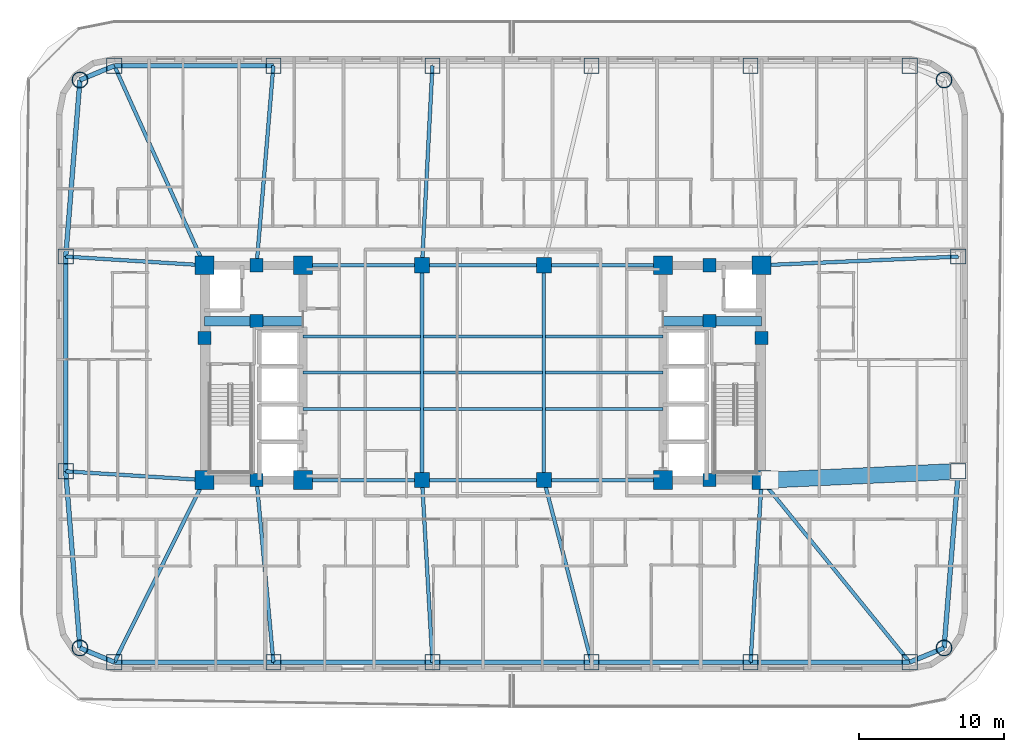
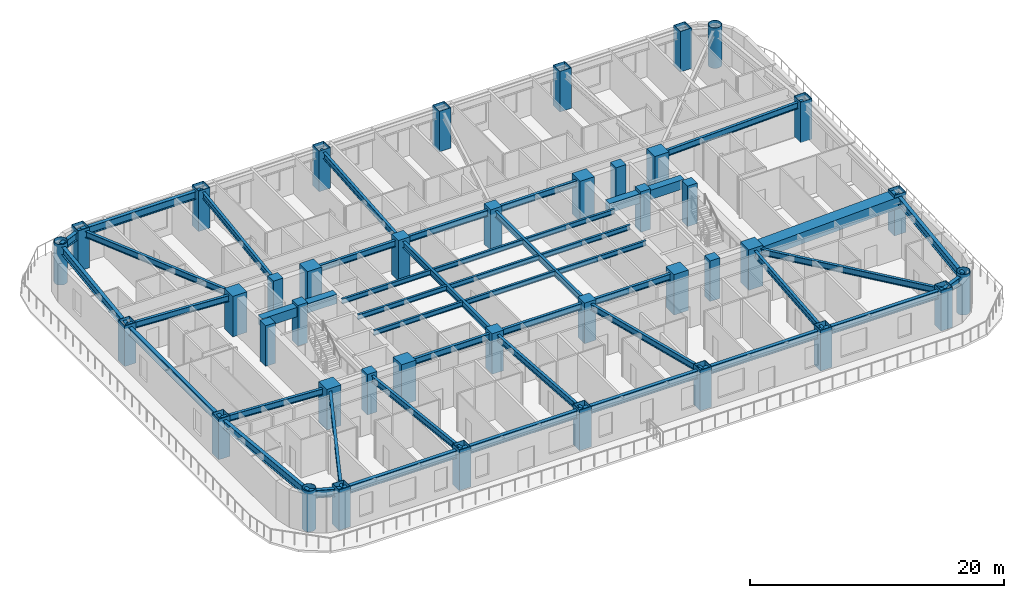
# One storey, part 1 of 16: 45 beams, 40 columns.
"""IFC4 building model written with IfcOpenShell, lengths in metres."""

from ifc_helpers import new_model, si_unit, direction, frame, origin, origin_2d, place, context, subcontext, project, spatial, rectangle, hollow_rectangle, hollow_circle, i_section, extrude, material, material_profile, profile_set, type_object, element, save


model = new_model("IFC4")

# Units and contexts
model_context = context("Model", 3, precision=1e-05, world=origin(), true_north=direction((0.0, 1.0)))
body_context = subcontext(model_context, "Body", "Model", "MODEL_VIEW")
ifc_project = project(units=[si_unit("LENGTHUNIT", "METRE"), si_unit("AREAUNIT", "SQUARE_METRE"), si_unit("VOLUMEUNIT", "CUBIC_METRE"), si_unit("PLANEANGLEUNIT", "RADIAN"), si_unit("MASSUNIT", "GRAM", prefix="KILO")], contexts=[model_context])

# Site, building, storey
site_placement = place(None, origin())
site = spatial("IfcSite", under=ifc_project, at=site_placement, CompositionType="ELEMENT")
building_placement = place(site_placement, origin())
building = spatial("IfcBuilding", under=site, at=building_placement, Name="Voryun Gate Residences", CompositionType="ELEMENT")
storey_placement = place(building_placement, frame((0.0, 0.0, 113.10009765625)))
storey = spatial("IfcBuildingStorey", under=building, at=storey_placement, Name="L27", CompositionType="ELEMENT", Elevation=113.10009765625)

# Columns
ifc_material_1 = material(Name="Concrete C50/60", Category="concrete")
ifc_material_profile_1 = material_profile(ifc_material_1, rectangle(XDim=1.050048828125, YDim=1.050048828125, at=origin_2d()), Name="RC-1050x1050")
ifc_profile_set_1 = profile_set([ifc_material_profile_1], Name="Concrete C50/60")
column_type_1 = type_object("IfcColumnType", Name="COL_CORE_1050", PredefinedType="COLUMN", material=ifc_profile_set_1)
for number, where, z_axis, x_axis, name in (
    (1, (-4.199951171875, -7.39990234375, 0.0), (0.0, 0.0, 1.0), (1.0, 0.0, 0.0), "L27 Interior spine column SP-WS"),
    (2, (-4.199951171875, 7.39990234375, 0.0), (0.0, 0.0, 1.0), (1.0, 0.0, 0.0), "L27 Interior spine column SP-WN"),
    (3, (4.199951171875, -7.39990234375, 0.0), (0.0, 0.0, 1.0), (1.0, 0.0, 0.0), "L27 Interior spine column SP-ES"),
    (4, (4.199951171875, 7.39990234375, 0.0), (0.0, 0.0, 1.0), (1.0, 0.0, 0.0), "L27 Interior spine column SP-EN"),
):
    element("IfcColumn", number, at=place(storey_placement, frame(where, z_axis=z_axis, x_axis=x_axis)), inside=storey, type_object=column_type_1, Name=name, PredefinedType="COLUMN", context=body_context, shape_type="SweptSolid", body=[
        extrude(rectangle(XDim=1.050048828125, YDim=1.050048828125, at=origin_2d()), origin(), (0.0, 0.0, 1.0), 3.89990234375),
    ])
ifc_material_2 = material(Name="Concrete C50/60", Category="concrete")
ifc_material_profile_2 = material_profile(ifc_material_2, rectangle(XDim=0.89990234375, YDim=0.89990234375, at=origin_2d()), Name="RC-900x900")
ifc_profile_set_2 = profile_set([ifc_material_profile_2], Name="Concrete C50/60")
column_type_2 = type_object("IfcColumnType", Name="COL_CORE_900", PredefinedType="COLUMN", material=ifc_profile_set_2)
for number, where, z_axis, x_axis, name in (
    (5, (-19.199951171875, 2.39990234375, 0.0), (0.0, 0.0, 1.0), (1.0, 0.0, 0.0), "L27 Core boundary column WC-MW"),
    (6, (-15.60009765625, -7.39990234375, 0.0), (0.0, 0.0, 1.0), (1.0, 0.0, 0.0), "L27 Core boundary column WC-SM"),
    (7, (-15.60009765625, 7.39990234375, 0.0), (0.0, 0.0, 1.0), (1.0, 0.0, 0.0), "L27 Core boundary column WC-NM"),
    (8, (-15.60009765625, 3.550048828125, 0.0), (0.0, 0.0, 1.0), (1.0, 0.0, 0.0), "L27 Core boundary column WC-MM"),
    (9, (15.60009765625, 3.550048828125, 0.0), (0.0, 0.0, 1.0), (1.0, 0.0, 0.0), "L27 Core boundary column EC-MM"),
    (10, (15.60009765625, -7.39990234375, 0.0), (0.0, 0.0, 1.0), (1.0, 0.0, 0.0), "L27 Core boundary column EC-SM"),
    (11, (15.60009765625, 7.39990234375, 0.0), (0.0, 0.0, 1.0), (1.0, 0.0, 0.0), "L27 Core boundary column EC-NM"),
    (12, (19.199951171875, 2.39990234375, 0.0), (0.0, 0.0, 1.0), (1.0, 0.0, 0.0), "L27 Core boundary column EC-ME"),
):
    element("IfcColumn", number, at=place(storey_placement, frame(where, z_axis=z_axis, x_axis=x_axis)), inside=storey, type_object=column_type_2, Name=name, PredefinedType="COLUMN", context=body_context, shape_type="SweptSolid", body=[
        extrude(rectangle(XDim=0.89990234375, YDim=0.89990234375, at=origin_2d()), origin(), (0.0, 0.0, 1.0), 3.89990234375),
    ])
ifc_material_3 = material(Name="Steel SM420", Category="steel")
ifc_material_profile_3 = material_profile(ifc_material_3, hollow_circle(Radius=0.550048828125, WallThickness=0.035888671875, at=origin_2d()), Name="CHS-1100x36")
ifc_profile_set_3 = profile_set([ifc_material_profile_3], Name="Steel SM420")
column_type_3 = type_object("IfcColumnType", Name="COL_CRN_1100", PredefinedType="COLUMN", material=ifc_profile_set_3)
for number, where, z_axis, x_axis, name in (
    (13, (31.768798828125, -18.96875, 0.0), (0.0, 0.0, 1.0), (1.0, 0.0, 0.0), "L27 Exoskeleton column CSE"),
    (14, (31.768798828125, 20.168701171875, 0.0), (0.0, 0.0, 1.0), (1.0, 0.0, 0.0), "L27 Exoskeleton column CNE"),
    (15, (-27.768798828125, 20.168701171875, 0.0), (0.0, 0.0, 1.0), (1.0, 0.0, 0.0), "L27 Exoskeleton column CNW"),
    (16, (-27.768798828125, -18.96875, 0.0), (0.0, 0.0, 1.0), (1.0, 0.0, 0.0), "L27 Exoskeleton column CSW"),
):
    element("IfcColumn", number, at=place(storey_placement, frame(where, z_axis=z_axis, x_axis=x_axis)), inside=storey, type_object=column_type_3, Name=name, PredefinedType="COLUMN", context=body_context, shape_type="SweptSolid", body=[
        extrude(hollow_circle(Radius=0.550048828125, WallThickness=0.035888671875, at=origin_2d()), origin(), (0.0, 0.0, 1.0), 3.89990234375),
    ])
ifc_material_4 = material(Name="Steel SM420", Category="steel")
ifc_material_profile_4 = material_profile(ifc_material_4, hollow_rectangle(XDim=1.050048828125, YDim=1.050048828125, WallThickness=0.035888671875, at=origin_2d()), Name="BOX-1050x1050x36")
ifc_profile_set_4 = profile_set([ifc_material_profile_4], Name="Steel SM420")
column_type_4 = type_object("IfcColumnType", Name="COL_EXO_B2", PredefinedType="COLUMN", material=ifc_profile_set_4)
for number, where, z_axis, x_axis, name in (
    (17, (-25.39990234375, -19.949951171875, 0.0), (0.0, 0.0, 1.0), (1.0, 0.0, 0.0), "L27 Exoskeleton column S1"),
    (18, (-14.43994140625, -19.949951171875, 0.0), (0.0, 0.0, 1.0), (1.0, 0.0, 0.0), "L27 Exoskeleton column S2"),
    (19, (-3.47998046875, -19.949951171875, 0.0), (0.0, 0.0, 1.0), (1.0, 0.0, 0.0), "L27 Exoskeleton column S3"),
    (20, (7.47998046875, -19.949951171875, 0.0), (0.0, 0.0, 1.0), (1.0, 0.0, 0.0), "L27 Exoskeleton column S4"),
    (21, (18.43994140625, -19.949951171875, 0.0), (0.0, 0.0, 1.0), (1.0, 0.0, 0.0), "L27 Exoskeleton column S5"),
    (22, (29.39990234375, -19.949951171875, 0.0), (0.0, 0.0, 1.0), (1.0, 0.0, 0.0), "L27 Exoskeleton column S6"),
    (23, (32.75, -6.798095703125, 0.0), (0.0, 0.0, 1.0), (1.0, 0.0, 0.0), "L27 Exoskeleton column E1"),
    (24, (32.75, 7.998046875, 0.0), (0.0, 0.0, 1.0), (1.0, 0.0, 0.0), "L27 Exoskeleton column E2"),
    (25, (29.39990234375, 21.14990234375, 0.0), (0.0, 0.0, 1.0), (1.0, 0.0, 0.0), "L27 Exoskeleton column N1"),
    (26, (18.43994140625, 21.14990234375, 0.0), (0.0, 0.0, 1.0), (1.0, 0.0, 0.0), "L27 Exoskeleton column N2"),
    (27, (7.47998046875, 21.14990234375, 0.0), (0.0, 0.0, 1.0), (1.0, 0.0, 0.0), "L27 Exoskeleton column N3"),
    (28, (-3.47998046875, 21.14990234375, 0.0), (0.0, 0.0, 1.0), (1.0, 0.0, 0.0), "L27 Exoskeleton column N4"),
    (29, (-14.43994140625, 21.14990234375, 0.0), (0.0, 0.0, 1.0), (1.0, 0.0, 0.0), "L27 Exoskeleton column N5"),
    (30, (-25.39990234375, 21.14990234375, 0.0), (0.0, 0.0, 1.0), (1.0, 0.0, 0.0), "L27 Exoskeleton column N6"),
    (31, (-28.75, 7.998046875, 0.0), (0.0, 0.0, 1.0), (1.0, 0.0, 0.0), "L27 Exoskeleton column W1"),
    (32, (-28.75, -6.798095703125, 0.0), (0.0, 0.0, 1.0), (1.0, 0.0, 0.0), "L27 Exoskeleton column W2"),
):
    element("IfcColumn", number, at=place(storey_placement, frame(where, z_axis=z_axis, x_axis=x_axis)), inside=storey, type_object=column_type_4, Name=name, PredefinedType="COLUMN", context=body_context, shape_type="SweptSolid", body=[
        extrude(hollow_rectangle(XDim=1.050048828125, YDim=1.050048828125, WallThickness=0.035888671875, at=origin_2d()), origin(), (0.0, 0.0, 1.0), 3.89990234375),
    ])
ifc_material_5 = material(Name="Concrete C60/75", Category="concrete")
ifc_material_profile_5 = material_profile(ifc_material_5, rectangle(XDim=1.300048828125, YDim=1.300048828125, at=origin_2d()), Name="RC-1300x1300")
ifc_profile_set_5 = profile_set([ifc_material_profile_5], Name="Concrete C60/75")
column_type_5 = type_object("IfcColumnType", Name="COL_MEGA_1300", PredefinedType="COLUMN", material=ifc_profile_set_5)
for number, where, z_axis, x_axis, name in (
    (33, (-19.199951171875, -7.39990234375, 0.0), (0.0, 0.0, 1.0), (1.0, 0.0, 0.0), "L27 Core boundary column WC-SW"),
    (34, (-19.199951171875, 7.39990234375, 0.0), (0.0, 0.0, 1.0), (1.0, 0.0, 0.0), "L27 Core boundary column WC-NW"),
    (35, (-12.39990234375, -7.39990234375, 0.0), (0.0, 0.0, 1.0), (1.0, 0.0, 0.0), "L27 Core boundary column WC-SE"),
    (36, (-12.39990234375, 7.39990234375, 0.0), (0.0, 0.0, 1.0), (1.0, 0.0, 0.0), "L27 Core boundary column WC-NE"),
    (37, (12.39990234375, -7.39990234375, 0.0), (0.0, 0.0, 1.0), (1.0, 0.0, 0.0), "L27 Core boundary column EC-SW"),
    (38, (12.39990234375, 7.39990234375, 0.0), (0.0, 0.0, 1.0), (1.0, 0.0, 0.0), "L27 Core boundary column EC-NW"),
    (39, (19.199951171875, -7.39990234375, 0.0), (0.0, 0.0, 1.0), (1.0, 0.0, 0.0), "L27 Core boundary column EC-SE"),
    (40, (19.199951171875, 7.39990234375, 0.0), (0.0, 0.0, 1.0), (1.0, 0.0, 0.0), "L27 Core boundary column EC-NE"),
):
    element("IfcColumn", number, at=place(storey_placement, frame(where, z_axis=z_axis, x_axis=x_axis)), inside=storey, type_object=column_type_5, Name=name, PredefinedType="COLUMN", context=body_context, shape_type="SweptSolid", body=[
        extrude(rectangle(XDim=1.300048828125, YDim=1.300048828125, at=origin_2d()), origin(), (0.0, 0.0, 1.0), 3.89990234375),
    ])

# Beams
ifc_material_6 = material(Name="Steel SM420", Category="steel")
ifc_material_profile_6 = material_profile(ifc_material_6, hollow_rectangle(XDim=1.10009765625, YDim=1.10009765625, WallThickness=0.035888671875, at=origin_2d()), Name="BOX-1100x1100x36")
ifc_profile_set_6 = profile_set([ifc_material_profile_6], Name="Steel SM420")
beam_type_1 = type_object("IfcBeamType", Name="BM_ARCH_RIB", PredefinedType="USERDEFINED", material=ifc_profile_set_6)
beam_1_placement = place(storey_placement, frame((19.75, -7.39990234375, 3.099853515625), z_axis=(0.998930206616, 0.046243294759, 0.0), x_axis=(-0.046243294759, 0.998930206616, 0.0)))
element("IfcBeam", 41, at=beam_1_placement, inside=storey, type_object=beam_type_1, Name="BM-L27-RAD-E1", ObjectType="GIRDER", PredefinedType="USERDEFINED", context=body_context, shape_type="SweptSolid", body=[
    extrude(hollow_rectangle(XDim=1.10009765625, YDim=1.10009765625, WallThickness=0.035888671875, at=origin_2d()), origin(), (0.0, 0.0, 1.0), 13.013916015625),
])
ifc_material_7 = material(Name="Concrete C60/75", Category="concrete")
ifc_material_profile_7 = material_profile(ifc_material_7, rectangle(XDim=0.64990234375, YDim=0.89990234375, at=origin_2d()), Name="RC-650x900")
ifc_profile_set_7 = profile_set([ifc_material_profile_7], Name="Concrete C60/75")
beam_type_2 = type_object("IfcBeamType", Name="BM_COUP_RC900", PredefinedType="LINTEL", material=ifc_profile_set_7)
for number, where, z_axis, x_axis, name in (
    (42, (-19.199951171875, 3.550048828125, 3.199951171875), (1.0, 0.0, 0.0), (0.0, 1.0, 0.0), "BM-L27-WC1"),
    (43, (12.39990234375, 3.550048828125, 3.199951171875), (1.0, 0.0, 0.0), (0.0, 1.0, 0.0), "BM-L27-EC1"),
):
    element("IfcBeam", number, at=place(storey_placement, frame(where, z_axis=z_axis, x_axis=x_axis)), inside=storey, type_object=beam_type_2, Name=name, PredefinedType="LINTEL", context=body_context, shape_type="SweptSolid", body=[
        extrude(rectangle(XDim=0.64990234375, YDim=0.89990234375, at=origin_2d()), origin(), (0.0, 0.0, 1.0), 6.800048828125),
    ])
ifc_material_8 = material(Name="Steel SM355", Category="steel")
ifc_material_profile_8 = material_profile(ifc_material_8, i_section(OverallWidth=0.320068359375, OverallDepth=0.75, WebThickness=0.01611328125, FlangeThickness=0.028076171875, FilletRadius=0.01806640625, at=origin_2d()), Name="H-750x320x16x28")
ifc_profile_set_8 = profile_set([ifc_material_profile_8], Name="Steel SM355")
beam_type_3 = type_object("IfcBeamType", Name="BM_EXO_SPANDREL_L", PredefinedType="SPANDREL", material=ifc_profile_set_8)
for number, where, z_axis, x_axis, name in (
    (44, (-25.39990234375, -19.949951171875, 3.27490234375), (1.0, 0.0, 0.0), (0.0, 1.0, 0.0), "BM-L27-SPAND-01"),
    (45, (-14.43994140625, -19.949951171875, 3.27490234375), (1.0, 0.0, 0.0), (0.0, 1.0, 0.0), "BM-L27-SPAND-02"),
    (46, (-3.47998046875, -19.949951171875, 3.27490234375), (1.0, 0.0, 0.0), (0.0, 1.0, 0.0), "BM-L27-SPAND-03"),
    (47, (7.47998046875, -19.949951171875, 3.27490234375), (1.0, 0.0, 0.0), (0.0, 1.0, 0.0), "BM-L27-SPAND-04"),
    (48, (18.43994140625, -19.949951171875, 3.27490234375), (1.0, 0.0, 0.0), (0.0, 1.0, 0.0), "BM-L27-SPAND-05"),
):
    element("IfcBeam", number, at=place(storey_placement, frame(where, z_axis=z_axis, x_axis=x_axis)), inside=storey, type_object=beam_type_3, Name=name, PredefinedType="SPANDREL", context=body_context, shape_type="SweptSolid", body=[
        extrude(i_section(OverallWidth=0.320068359375, OverallDepth=0.75, WebThickness=0.01611328125, FlangeThickness=0.028076171875, FilletRadius=0.01806640625, at=origin_2d()), origin(), (0.0, 0.0, 1.0), 10.9599609375),
    ])
beam_2_placement = place(storey_placement, frame((29.39990234375, -19.949951171875, 3.27490234375), z_axis=(0.923883376753, 0.382674151414, 0.0), x_axis=(-0.382674151414, 0.923883376753, 0.0)))
element("IfcBeam", 49, at=beam_2_placement, inside=storey, type_object=beam_type_3, Name="BM-L27-SPAND-06", PredefinedType="SPANDREL", context=body_context, shape_type="SweptSolid", body=[
    extrude(i_section(OverallWidth=0.320068359375, OverallDepth=0.75, WebThickness=0.01611328125, FlangeThickness=0.028076171875, FilletRadius=0.01806640625, at=origin_2d()), origin(), (0.0, 0.0, 1.0), 2.56396484375),
])
beam_3_placement = place(storey_placement, frame((31.768798828125, -18.96875, 3.27490234375), z_axis=(0.080359517973, 0.996765944378, 0.0), x_axis=(-0.996765944378, 0.080359517973, 0.0)))
element("IfcBeam", 50, at=beam_3_placement, inside=storey, type_object=beam_type_3, Name="BM-L27-SPAND-07", PredefinedType="SPANDREL", context=body_context, shape_type="SweptSolid", body=[
    extrude(i_section(OverallWidth=0.320068359375, OverallDepth=0.75, WebThickness=0.01611328125, FlangeThickness=0.028076171875, FilletRadius=0.01806640625, at=origin_2d()), origin(), (0.0, 0.0, 1.0), 12.210205078125),
])
beam_4_placement = place(storey_placement, frame((-14.43994140625, 21.14990234375, 3.27490234375), z_axis=(-1.0, 0.0, 0.0), x_axis=(0.0, -1.0, 0.0)))
element("IfcBeam", 51, at=beam_4_placement, inside=storey, type_object=beam_type_3, Name="BM-L27-SPAND-15", PredefinedType="SPANDREL", context=body_context, shape_type="SweptSolid", body=[
    extrude(i_section(OverallWidth=0.320068359375, OverallDepth=0.75, WebThickness=0.01611328125, FlangeThickness=0.028076171875, FilletRadius=0.01806640625, at=origin_2d()), origin(), (0.0, 0.0, 1.0), 10.9599609375),
])
beam_5_placement = place(storey_placement, frame((-25.39990234375, 21.14990234375, 3.27490234375), z_axis=(-0.923883376753, -0.382674151414, 0.0), x_axis=(0.382674151414, -0.923883376753, 0.0)))
element("IfcBeam", 52, at=beam_5_placement, inside=storey, type_object=beam_type_3, Name="BM-L27-SPAND-16", PredefinedType="SPANDREL", context=body_context, shape_type="SweptSolid", body=[
    extrude(i_section(OverallWidth=0.320068359375, OverallDepth=0.75, WebThickness=0.01611328125, FlangeThickness=0.028076171875, FilletRadius=0.01806640625, at=origin_2d()), origin(), (0.0, 0.0, 1.0), 2.56396484375),
])
beam_6_placement = place(storey_placement, frame((-27.768798828125, 20.168701171875, 3.27490234375), z_axis=(-0.080359517973, -0.996765944378, 0.0), x_axis=(0.996765944378, -0.080359517973, 0.0)))
element("IfcBeam", 53, at=beam_6_placement, inside=storey, type_object=beam_type_3, Name="BM-L27-SPAND-17", PredefinedType="SPANDREL", context=body_context, shape_type="SweptSolid", body=[
    extrude(i_section(OverallWidth=0.320068359375, OverallDepth=0.75, WebThickness=0.01611328125, FlangeThickness=0.028076171875, FilletRadius=0.01806640625, at=origin_2d()), origin(), (0.0, 0.0, 1.0), 12.210205078125),
])
beam_7_placement = place(storey_placement, frame((-28.75, 7.998046875, 3.27490234375), z_axis=(0.0, -1.0, 0.0), x_axis=(1.0, 0.0, 0.0)))
element("IfcBeam", 54, at=beam_7_placement, inside=storey, type_object=beam_type_3, Name="BM-L27-SPAND-18", PredefinedType="SPANDREL", context=body_context, shape_type="SweptSolid", body=[
    extrude(i_section(OverallWidth=0.320068359375, OverallDepth=0.75, WebThickness=0.01611328125, FlangeThickness=0.028076171875, FilletRadius=0.01806640625, at=origin_2d()), origin(), (0.0, 0.0, 1.0), 14.796142578125),
])
beam_8_placement = place(storey_placement, frame((-28.75, -6.798095703125, 3.27490234375), z_axis=(0.080359517973, -0.996765944378, 0.0), x_axis=(0.996765944378, 0.080359517973, 0.0)))
element("IfcBeam", 55, at=beam_8_placement, inside=storey, type_object=beam_type_3, Name="BM-L27-SPAND-19", PredefinedType="SPANDREL", context=body_context, shape_type="SweptSolid", body=[
    extrude(i_section(OverallWidth=0.320068359375, OverallDepth=0.75, WebThickness=0.01611328125, FlangeThickness=0.028076171875, FilletRadius=0.01806640625, at=origin_2d()), origin(), (0.0, 0.0, 1.0), 12.210205078125),
])
beam_9_placement = place(storey_placement, frame((-27.768798828125, -18.96875, 3.27490234375), z_axis=(0.923883376753, -0.382674151414, 0.0), x_axis=(0.382674151414, 0.923883376753, 0.0)))
element("IfcBeam", 56, at=beam_9_placement, inside=storey, type_object=beam_type_3, Name="BM-L27-SPAND-20", PredefinedType="SPANDREL", context=body_context, shape_type="SweptSolid", body=[
    extrude(i_section(OverallWidth=0.320068359375, OverallDepth=0.75, WebThickness=0.01611328125, FlangeThickness=0.028076171875, FilletRadius=0.01806640625, at=origin_2d()), origin(), (0.0, 0.0, 1.0), 2.56396484375),
])
ifc_material_9 = material(Name="Steel SM355", Category="steel")
ifc_material_profile_9 = material_profile(ifc_material_9, i_section(OverallWidth=0.25, OverallDepth=0.60009765625, WebThickness=0.011962890625, FlangeThickness=0.02197265625, FilletRadius=0.01806640625, at=origin_2d()), Name="H-600x250x12x22")
ifc_profile_set_9 = profile_set([ifc_material_profile_9], Name="Steel SM355")
beam_type_4 = type_object("IfcBeamType", Name="BM_GIRD_600", PredefinedType="USERDEFINED", material=ifc_profile_set_9)
beam_10_placement = place(storey_placement, frame((-12.39990234375, -7.39990234375, 3.349853515625), z_axis=(1.0, 0.0, 0.0), x_axis=(0.0, 1.0, 0.0)))
element("IfcBeam", 57, at=beam_10_placement, inside=storey, type_object=beam_type_4, Name="BM-L27-SPG1-S", ObjectType="GIRDER", PredefinedType="USERDEFINED", context=body_context, shape_type="SweptSolid", body=[
    extrude(i_section(OverallWidth=0.25, OverallDepth=0.60009765625, WebThickness=0.011962890625, FlangeThickness=0.02197265625, FilletRadius=0.01806640625, at=origin_2d()), origin(), (0.0, 0.0, 1.0), 8.199951171875),
])
beam_11_placement = place(storey_placement, frame((-4.199951171875, -7.39990234375, 3.349853515625), z_axis=(1.0, 0.0, 0.0), x_axis=(0.0, 1.0, 0.0)))
element("IfcBeam", 58, at=beam_11_placement, inside=storey, type_object=beam_type_4, Name="BM-L27-SPG2-S", ObjectType="GIRDER", PredefinedType="USERDEFINED", context=body_context, shape_type="SweptSolid", body=[
    extrude(i_section(OverallWidth=0.25, OverallDepth=0.60009765625, WebThickness=0.011962890625, FlangeThickness=0.02197265625, FilletRadius=0.01806640625, at=origin_2d()), origin(), (0.0, 0.0, 1.0), 8.39990234375),
])
for number, where, z_axis, x_axis, name in (
    (59, (4.199951171875, -7.39990234375, 3.349853515625), (1.0, 0.0, 0.0), (0.0, 1.0, 0.0), "BM-L27-SPG3-S"),
    (60, (-12.39990234375, 7.39990234375, 3.349853515625), (1.0, 0.0, 0.0), (0.0, 1.0, 0.0), "BM-L27-SPG1-N"),
):
    element("IfcBeam", number, at=place(storey_placement, frame(where, z_axis=z_axis, x_axis=x_axis)), inside=storey, type_object=beam_type_4, Name=name, ObjectType="GIRDER", PredefinedType="USERDEFINED", context=body_context, shape_type="SweptSolid", body=[
        extrude(i_section(OverallWidth=0.25, OverallDepth=0.60009765625, WebThickness=0.011962890625, FlangeThickness=0.02197265625, FilletRadius=0.01806640625, at=origin_2d()), origin(), (0.0, 0.0, 1.0), 8.199951171875),
    ])
beam_12_placement = place(storey_placement, frame((-4.199951171875, 7.39990234375, 3.349853515625), z_axis=(1.0, 0.0, 0.0), x_axis=(0.0, 1.0, 0.0)))
element("IfcBeam", 61, at=beam_12_placement, inside=storey, type_object=beam_type_4, Name="BM-L27-SPG2-N", ObjectType="GIRDER", PredefinedType="USERDEFINED", context=body_context, shape_type="SweptSolid", body=[
    extrude(i_section(OverallWidth=0.25, OverallDepth=0.60009765625, WebThickness=0.011962890625, FlangeThickness=0.02197265625, FilletRadius=0.01806640625, at=origin_2d()), origin(), (0.0, 0.0, 1.0), 8.39990234375),
])
beam_13_placement = place(storey_placement, frame((4.199951171875, 7.39990234375, 3.349853515625), z_axis=(1.0, 0.0, 0.0), x_axis=(0.0, 1.0, 0.0)))
element("IfcBeam", 62, at=beam_13_placement, inside=storey, type_object=beam_type_4, Name="BM-L27-SPG3-N", ObjectType="GIRDER", PredefinedType="USERDEFINED", context=body_context, shape_type="SweptSolid", body=[
    extrude(i_section(OverallWidth=0.25, OverallDepth=0.60009765625, WebThickness=0.011962890625, FlangeThickness=0.02197265625, FilletRadius=0.01806640625, at=origin_2d()), origin(), (0.0, 0.0, 1.0), 8.199951171875),
])
for number, where, z_axis, x_axis, name in (
    (63, (-4.199951171875, -7.39990234375, 3.349853515625), (0.0, 1.0, 0.0), (-1.0, 0.0, 0.0), "BM-L27-SPX-W"),
    (64, (4.199951171875, -7.39990234375, 3.349853515625), (0.0, 1.0, 0.0), (-1.0, 0.0, 0.0), "BM-L27-SPX-E"),
):
    element("IfcBeam", number, at=place(storey_placement, frame(where, z_axis=z_axis, x_axis=x_axis)), inside=storey, type_object=beam_type_4, Name=name, ObjectType="GIRDER", PredefinedType="USERDEFINED", context=body_context, shape_type="SweptSolid", body=[
        extrude(i_section(OverallWidth=0.25, OverallDepth=0.60009765625, WebThickness=0.011962890625, FlangeThickness=0.02197265625, FilletRadius=0.01806640625, at=origin_2d()), origin(), (0.0, 0.0, 1.0), 14.7998046875),
    ])
beam_14_placement = place(storey_placement, frame((-19.199951171875, -7.39990234375, 3.349853515625), z_axis=(-0.442917927955, -0.896562161312, 0.0), x_axis=(0.896562161312, -0.442917927955, 0.0)))
element("IfcBeam", 65, at=beam_14_placement, inside=storey, type_object=beam_type_4, Name="BM-L27-RAD-S1", ObjectType="GIRDER", PredefinedType="USERDEFINED", context=body_context, shape_type="SweptSolid", body=[
    extrude(i_section(OverallWidth=0.25, OverallDepth=0.60009765625, WebThickness=0.011962890625, FlangeThickness=0.02197265625, FilletRadius=0.01806640625, at=origin_2d()), origin(), (0.0, 0.0, 1.0), 13.998046875),
])
beam_15_placement = place(storey_placement, frame((-15.60009765625, -7.39990234375, 3.349853515625), z_axis=(0.092049895705, -0.995754395773, 0.0), x_axis=(0.995754395773, 0.092049895705, 0.0)))
element("IfcBeam", 66, at=beam_15_placement, inside=storey, type_object=beam_type_4, Name="BM-L27-RAD-S2", ObjectType="GIRDER", PredefinedType="USERDEFINED", context=body_context, shape_type="SweptSolid", body=[
    extrude(i_section(OverallWidth=0.25, OverallDepth=0.60009765625, WebThickness=0.011962890625, FlangeThickness=0.02197265625, FilletRadius=0.01806640625, at=origin_2d()), origin(), (0.0, 0.0, 1.0), 12.603515625),
])
beam_16_placement = place(storey_placement, frame((-4.199951171875, -7.39990234375, 3.349853515625), z_axis=(0.057273791334, -0.998358509167, 0.0), x_axis=(0.998358509167, 0.057273791334, 0.0)))
element("IfcBeam", 67, at=beam_16_placement, inside=storey, type_object=beam_type_4, Name="BM-L27-RAD-S3", ObjectType="GIRDER", PredefinedType="USERDEFINED", context=body_context, shape_type="SweptSolid", body=[
    extrude(i_section(OverallWidth=0.25, OverallDepth=0.60009765625, WebThickness=0.011962890625, FlangeThickness=0.02197265625, FilletRadius=0.01806640625, at=origin_2d()), origin(), (0.0, 0.0, 1.0), 12.57080078125),
])
beam_17_placement = place(storey_placement, frame((4.199951171875, -7.39990234375, 3.349853515625), z_axis=(0.252862419611, -0.967502246379, 0.0), x_axis=(0.967502246379, 0.252862419611, 0.0)))
element("IfcBeam", 68, at=beam_17_placement, inside=storey, type_object=beam_type_4, Name="BM-L27-RAD-S4", ObjectType="GIRDER", PredefinedType="USERDEFINED", context=body_context, shape_type="SweptSolid", body=[
    extrude(i_section(OverallWidth=0.25, OverallDepth=0.60009765625, WebThickness=0.011962890625, FlangeThickness=0.02197265625, FilletRadius=0.01806640625, at=origin_2d()), origin(), (0.0, 0.0, 1.0), 12.9716796875),
])
beam_18_placement = place(storey_placement, frame((19.199951171875, -7.39990234375, 3.349853515625), z_axis=(-0.060447572917, -0.998171373527, 0.0), x_axis=(0.998171373527, -0.060447572917, 0.0)))
element("IfcBeam", 69, at=beam_18_placement, inside=storey, type_object=beam_type_4, Name="BM-L27-RAD-S5", ObjectType="GIRDER", PredefinedType="USERDEFINED", context=body_context, shape_type="SweptSolid", body=[
    extrude(i_section(OverallWidth=0.25, OverallDepth=0.60009765625, WebThickness=0.011962890625, FlangeThickness=0.02197265625, FilletRadius=0.01806640625, at=origin_2d()), origin(), (0.0, 0.0, 1.0), 12.572998046875),
])
beam_19_placement = place(storey_placement, frame((19.199951171875, -7.39990234375, 3.349853515625), z_axis=(0.63070571586, -0.776022100189, 0.0), x_axis=(0.776022100189, 0.63070571586, 0.0)))
element("IfcBeam", 70, at=beam_19_placement, inside=storey, type_object=beam_type_4, Name="BM-L27-RAD-S6", ObjectType="GIRDER", PredefinedType="USERDEFINED", context=body_context, shape_type="SweptSolid", body=[
    extrude(i_section(OverallWidth=0.25, OverallDepth=0.60009765625, WebThickness=0.011962890625, FlangeThickness=0.02197265625, FilletRadius=0.01806640625, at=origin_2d()), origin(), (0.0, 0.0, 1.0), 16.17236328125),
])
beam_20_placement = place(storey_placement, frame((19.199951171875, 7.39990234375, 3.349853515625), z_axis=(0.999027104014, 0.044100401882, 0.0), x_axis=(-0.044100401882, 0.999027104014, 0.0)))
element("IfcBeam", 71, at=beam_20_placement, inside=storey, type_object=beam_type_4, Name="BM-L27-RAD-E2", ObjectType="GIRDER", PredefinedType="USERDEFINED", context=body_context, shape_type="SweptSolid", body=[
    extrude(i_section(OverallWidth=0.25, OverallDepth=0.60009765625, WebThickness=0.011962890625, FlangeThickness=0.02197265625, FilletRadius=0.01806640625, at=origin_2d()), origin(), (0.0, 0.0, 1.0), 13.563232421875),
])
beam_21_placement = place(storey_placement, frame((-4.199951171875, 7.39990234375, 3.349853515625), z_axis=(0.052289872463, 0.998631948837, 0.0), x_axis=(-0.998631948837, 0.052289872463, 0.0)))
element("IfcBeam", 72, at=beam_21_placement, inside=storey, type_object=beam_type_4, Name="BM-L27-RAD-N4", ObjectType="GIRDER", PredefinedType="USERDEFINED", context=body_context, shape_type="SweptSolid", body=[
    extrude(i_section(OverallWidth=0.25, OverallDepth=0.60009765625, WebThickness=0.011962890625, FlangeThickness=0.02197265625, FilletRadius=0.01806640625, at=origin_2d()), origin(), (0.0, 0.0, 1.0), 13.768798828125),
])
beam_22_placement = place(storey_placement, frame((-15.60009765625, 7.39990234375, 3.349853515625), z_axis=(0.084076255415, 0.996459323442, 0.0), x_axis=(-0.996459323442, 0.084076255415, 0.0)))
element("IfcBeam", 73, at=beam_22_placement, inside=storey, type_object=beam_type_4, Name="BM-L27-RAD-N5", ObjectType="GIRDER", PredefinedType="USERDEFINED", context=body_context, shape_type="SweptSolid", body=[
    extrude(i_section(OverallWidth=0.25, OverallDepth=0.60009765625, WebThickness=0.011962890625, FlangeThickness=0.02197265625, FilletRadius=0.01806640625, at=origin_2d()), origin(), (0.0, 0.0, 1.0), 13.798828125),
])
beam_23_placement = place(storey_placement, frame((-19.199951171875, 7.39990234375, 3.349853515625), z_axis=(-0.411051048554, 0.911612327408, 0.0), x_axis=(-0.911612327408, -0.411051048554, 0.0)))
element("IfcBeam", 74, at=beam_23_placement, inside=storey, type_object=beam_type_4, Name="BM-L27-RAD-N6", ObjectType="GIRDER", PredefinedType="USERDEFINED", context=body_context, shape_type="SweptSolid", body=[
    extrude(i_section(OverallWidth=0.25, OverallDepth=0.60009765625, WebThickness=0.011962890625, FlangeThickness=0.02197265625, FilletRadius=0.01806640625, at=origin_2d()), origin(), (0.0, 0.0, 1.0), 15.083251953125),
])
beam_24_placement = place(storey_placement, frame((-19.199951171875, 7.39990234375, 3.349853515625), z_axis=(-0.998044329736, 0.062510126233, 0.0), x_axis=(-0.062510126233, -0.998044329736, 0.0)))
element("IfcBeam", 75, at=beam_24_placement, inside=storey, type_object=beam_type_4, Name="BM-L27-RAD-W1", ObjectType="GIRDER", PredefinedType="USERDEFINED", context=body_context, shape_type="SweptSolid", body=[
    extrude(i_section(OverallWidth=0.25, OverallDepth=0.60009765625, WebThickness=0.011962890625, FlangeThickness=0.02197265625, FilletRadius=0.01806640625, at=origin_2d()), origin(), (0.0, 0.0, 1.0), 9.56884765625),
])
beam_25_placement = place(storey_placement, frame((-19.199951171875, -7.39990234375, 3.349853515625), z_axis=(-0.998020380726, 0.062891332119, 0.0), x_axis=(-0.062891332119, -0.998020380726, 0.0)))
element("IfcBeam", 76, at=beam_25_placement, inside=storey, type_object=beam_type_4, Name="BM-L27-RAD-W2", ObjectType="GIRDER", PredefinedType="USERDEFINED", context=body_context, shape_type="SweptSolid", body=[
    extrude(i_section(OverallWidth=0.25, OverallDepth=0.60009765625, WebThickness=0.011962890625, FlangeThickness=0.02197265625, FilletRadius=0.01806640625, at=origin_2d()), origin(), (0.0, 0.0, 1.0), 9.569091796875),
])
ifc_material_10 = material(Name="Steel SM355", Category="steel")
ifc_material_profile_10 = material_profile(ifc_material_10, i_section(OverallWidth=0.199951171875, OverallDepth=0.47998046875, WebThickness=0.010009765625, FlangeThickness=0.01806640625, FilletRadius=0.01806640625, at=origin_2d()), Name="H-480x200x10x18")
ifc_profile_set_10 = profile_set([ifc_material_profile_10], Name="Steel SM355")
beam_type_5 = type_object("IfcBeamType", Name="BM_SEC_480", PredefinedType="BEAM", material=ifc_profile_set_10)
beam_26_placement = place(storey_placement, frame((-12.39990234375, -2.5, 3.409912109375), z_axis=(1.0, 0.0, 0.0), x_axis=(0.0, 1.0, 0.0)))
element("IfcBeam", 77, at=beam_26_placement, inside=storey, type_object=beam_type_5, Name="BM-L27-SEC-CS1", PredefinedType="BEAM", context=body_context, shape_type="SweptSolid", body=[
    extrude(i_section(OverallWidth=0.199951171875, OverallDepth=0.47998046875, WebThickness=0.010009765625, FlangeThickness=0.01806640625, FilletRadius=0.01806640625, at=origin_2d()), origin(), (0.0, 0.0, 1.0), 8.099853515625),
])
beam_27_placement = place(storey_placement, frame((-4.10009765625, -2.5, 3.409912109375), z_axis=(1.0, 0.0, 0.0), x_axis=(0.0, 1.0, 0.0)))
element("IfcBeam", 78, at=beam_27_placement, inside=storey, type_object=beam_type_5, Name="BM-L27-SEC-CS2", PredefinedType="BEAM", context=body_context, shape_type="SweptSolid", body=[
    extrude(i_section(OverallWidth=0.199951171875, OverallDepth=0.47998046875, WebThickness=0.010009765625, FlangeThickness=0.01806640625, FilletRadius=0.01806640625, at=origin_2d()), origin(), (0.0, 0.0, 1.0), 8.2001953125),
])
for number, where, z_axis, x_axis, name in (
    (79, (4.300048828125, -2.5, 3.409912109375), (1.0, 0.0, 0.0), (0.0, 1.0, 0.0), "BM-L27-SEC-CS3"),
    (80, (-12.39990234375, 0.0, 3.409912109375), (1.0, 0.0, 0.0), (0.0, 1.0, 0.0), "BM-L27-SEC-CM1"),
):
    element("IfcBeam", number, at=place(storey_placement, frame(where, z_axis=z_axis, x_axis=x_axis)), inside=storey, type_object=beam_type_5, Name=name, PredefinedType="BEAM", context=body_context, shape_type="SweptSolid", body=[
        extrude(i_section(OverallWidth=0.199951171875, OverallDepth=0.47998046875, WebThickness=0.010009765625, FlangeThickness=0.01806640625, FilletRadius=0.01806640625, at=origin_2d()), origin(), (0.0, 0.0, 1.0), 8.099853515625),
    ])
beam_28_placement = place(storey_placement, frame((-4.10009765625, 0.0, 3.409912109375), z_axis=(1.0, 0.0, 0.0), x_axis=(0.0, 1.0, 0.0)))
element("IfcBeam", 81, at=beam_28_placement, inside=storey, type_object=beam_type_5, Name="BM-L27-SEC-CM2", PredefinedType="BEAM", context=body_context, shape_type="SweptSolid", body=[
    extrude(i_section(OverallWidth=0.199951171875, OverallDepth=0.47998046875, WebThickness=0.010009765625, FlangeThickness=0.01806640625, FilletRadius=0.01806640625, at=origin_2d()), origin(), (0.0, 0.0, 1.0), 8.2001953125),
])
for number, where, z_axis, x_axis, name in (
    (82, (4.300048828125, 0.0, 3.409912109375), (1.0, 0.0, 0.0), (0.0, 1.0, 0.0), "BM-L27-SEC-CM3"),
    (83, (-12.39990234375, 2.5, 3.409912109375), (1.0, 0.0, 0.0), (0.0, 1.0, 0.0), "BM-L27-SEC-CN1"),
):
    element("IfcBeam", number, at=place(storey_placement, frame(where, z_axis=z_axis, x_axis=x_axis)), inside=storey, type_object=beam_type_5, Name=name, PredefinedType="BEAM", context=body_context, shape_type="SweptSolid", body=[
        extrude(i_section(OverallWidth=0.199951171875, OverallDepth=0.47998046875, WebThickness=0.010009765625, FlangeThickness=0.01806640625, FilletRadius=0.01806640625, at=origin_2d()), origin(), (0.0, 0.0, 1.0), 8.099853515625),
    ])
beam_29_placement = place(storey_placement, frame((-4.10009765625, 2.5, 3.409912109375), z_axis=(1.0, 0.0, 0.0), x_axis=(0.0, 1.0, 0.0)))
element("IfcBeam", 84, at=beam_29_placement, inside=storey, type_object=beam_type_5, Name="BM-L27-SEC-CN2", PredefinedType="BEAM", context=body_context, shape_type="SweptSolid", body=[
    extrude(i_section(OverallWidth=0.199951171875, OverallDepth=0.47998046875, WebThickness=0.010009765625, FlangeThickness=0.01806640625, FilletRadius=0.01806640625, at=origin_2d()), origin(), (0.0, 0.0, 1.0), 8.2001953125),
])
beam_30_placement = place(storey_placement, frame((4.300048828125, 2.5, 3.409912109375), z_axis=(1.0, 0.0, 0.0), x_axis=(0.0, 1.0, 0.0)))
element("IfcBeam", 85, at=beam_30_placement, inside=storey, type_object=beam_type_5, Name="BM-L27-SEC-CN3", PredefinedType="BEAM", context=body_context, shape_type="SweptSolid", body=[
    extrude(i_section(OverallWidth=0.199951171875, OverallDepth=0.47998046875, WebThickness=0.010009765625, FlangeThickness=0.01806640625, FilletRadius=0.01806640625, at=origin_2d()), origin(), (0.0, 0.0, 1.0), 8.099853515625),
])

save(model, "model.ifc")
